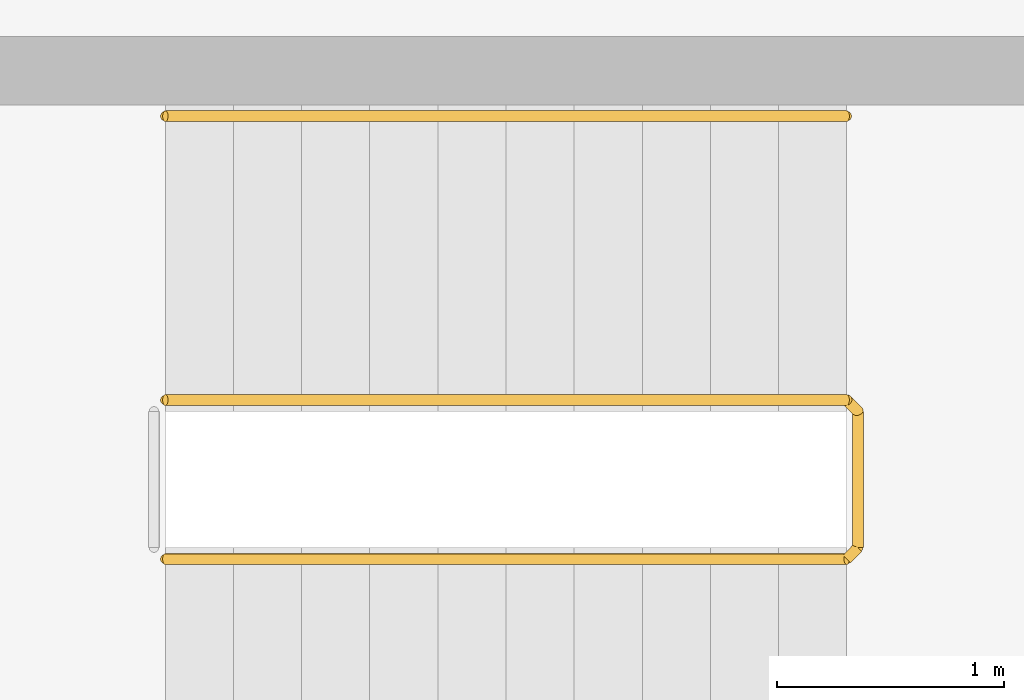
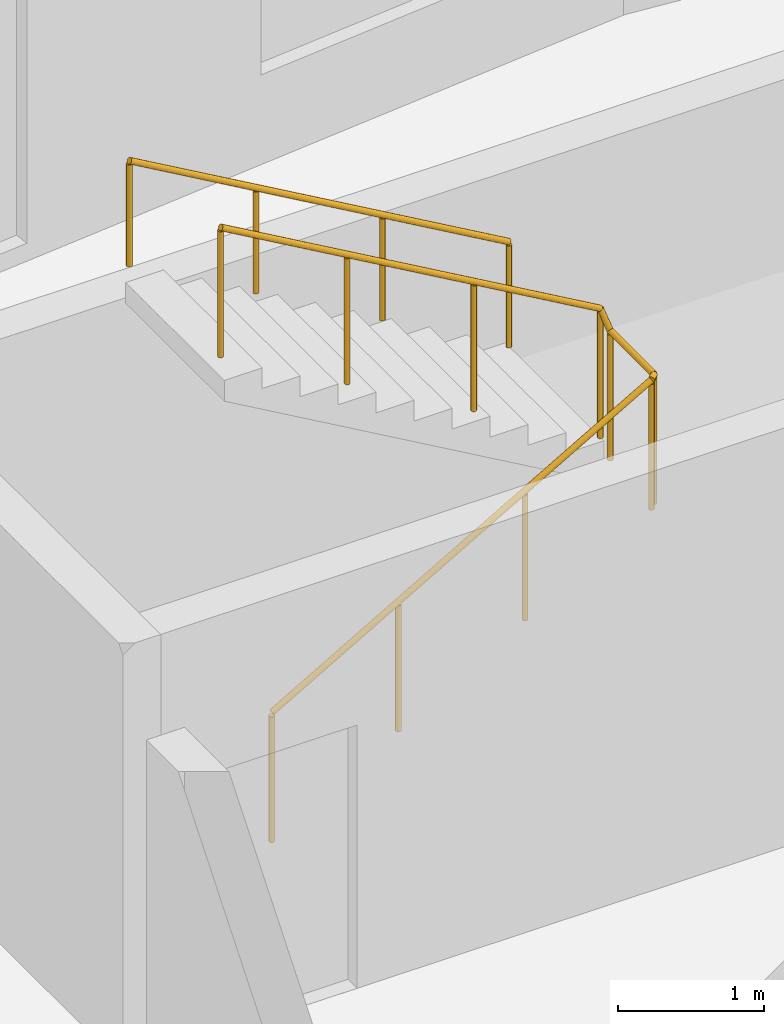
# One storey, part 11 of 11: 2 railings.
"""IFC4 building model written with IfcOpenShell, lengths in metres."""

from ifc_helpers import new_model, si_unit, direction, frame, origin, origin_2d, place, context, subcontext, project, spatial, circle, extrude, material, type_object, element, save


model = new_model("IFC4")

# Units and contexts
model_context = context("Model", 3, precision=1e-05, world=origin(), true_north=direction((0.0, 1.0)))
body_context = subcontext(model_context, "Body", "Model", "MODEL_VIEW")
ifc_project = project(units=[si_unit("LENGTHUNIT", "METRE"), si_unit("AREAUNIT", "SQUARE_METRE"), si_unit("VOLUMEUNIT", "CUBIC_METRE"), si_unit("PLANEANGLEUNIT", "RADIAN"), si_unit("MASSUNIT", "GRAM", prefix="KILO")], contexts=[model_context])

# Site, building, storey
site_placement = place(None, origin())
site = spatial("IfcSite", under=ifc_project, at=site_placement, CompositionType="ELEMENT")
building_placement = place(site_placement, origin())
building = spatial("IfcBuilding", under=site, at=building_placement, Name="Brondeck Convention Tower", CompositionType="ELEMENT")
storey_placement = place(building_placement, frame((0.0, 0.0, 96.10009765625)))
storey = spatial("IfcBuildingStorey", under=building, at=storey_placement, Name="L22", CompositionType="ELEMENT", Elevation=96.10009765625)

# Railings
ifc_material = material(Name="Steel S355", Category="steel")
railing_type_1 = type_object("IfcRailingType", Name="Stair guard 1100", PredefinedType="GUARDRAIL", material=ifc_material)
railing_1_placement = place(storey_placement, frame((37.85009765625, 55.449951171875, 0.172607421875)))
element("IfcRailing", 1, at=railing_1_placement, inside=storey, type_object=railing_type_1, Name="L22 ST-AE stair guard 1", PredefinedType="GUARDRAIL", context=body_context, shape_type="SweptSolid", body=[
    extrude(circle(Radius=0.02392578125, at=origin_2d()), frame((0.0, 0.0, 1.076171875), z_axis=(0.866619684472, 0.0, 0.498969260062), x_axis=(0.0, 1.0, 0.0)), (0.0, 0.0, 1.0), 3.461669921875),
    extrude(circle(Radius=0.02392578125, at=origin_2d()), frame((3.0, 0.0, 2.80322265625), z_axis=(0.705375805398, 0.708833529934, 0.0), x_axis=(-0.708833529934, 0.705375805398, 0.0)), (0.0, 0.0, 1.0), 0.070556640625),
    extrude(circle(Radius=0.02392578125, at=origin_2d()), frame((3.0498046875, 0.050048828125, 2.80322265625), z_axis=(0.0, 1.0, 0.0), x_axis=(-1.0, 0.0, 0.0)), (0.0, 0.0, 1.0), 0.60009765625),
    extrude(circle(Radius=0.02392578125, at=origin_2d()), frame((3.0498046875, 0.650146484375, 2.80322265625), z_axis=(-0.26715648603, 0.26715648603, 0.925880566782), x_axis=(-0.707106781187, -0.707106781187, 0.0)), (0.0, 0.0, 1.0), 0.1865234375),
    extrude(circle(Radius=0.02392578125, at=origin_2d()), frame((3.0, 0.699951171875, 2.97607421875), z_axis=(-0.866619684472, 0.0, 0.498969260062), x_axis=(0.0, -1.0, 0.0)), (0.0, 0.0, 1.0), 3.461669921875),
    extrude(circle(Radius=0.02099609375, at=origin_2d()), origin(), (0.0, 0.0, 1.0), 1.052001953125),
    extrude(circle(Radius=0.02099609375, at=origin_2d()), frame((1.0, 0.0, 0.57568359375)), (0.0, 0.0, 1.0), 1.052001953125),
    extrude(circle(Radius=0.02099609375, at=origin_2d()), frame((2.0, 0.0, 1.151611328125)), (0.0, 0.0, 1.0), 1.052001953125),
    extrude(circle(Radius=0.02099609375, at=origin_2d()), frame((3.0, 0.0, 1.727294921875)), (0.0, 0.0, 1.0), 1.052001953125),
    extrude(circle(Radius=0.02099609375, at=origin_2d()), frame((3.0498046875, 0.050048828125, 1.727294921875)), (0.0, 0.0, 1.0), 1.052001953125),
    extrude(circle(Radius=0.02099609375, at=origin_2d()), frame((3.0498046875, 0.650146484375, 1.727294921875)), (0.0, 0.0, 1.0), 1.052001953125),
    extrude(circle(Radius=0.02099609375, at=origin_2d()), frame((3.0, 0.699951171875, 1.89990234375)), (0.0, 0.0, 1.0), 1.052001953125),
    extrude(circle(Radius=0.02099609375, at=origin_2d()), frame((2.0, 0.699951171875, 2.4755859375)), (0.0, 0.0, 1.0), 1.052001953125),
    extrude(circle(Radius=0.02099609375, at=origin_2d()), frame((1.0, 0.699951171875, 3.051513671875)), (0.0, 0.0, 1.0), 1.052001953125),
    extrude(circle(Radius=0.02099609375, at=origin_2d()), frame((0.0, 0.699951171875, 3.627197265625)), (0.0, 0.0, 1.0), 1.052001953125),
])
railing_type_2 = type_object("IfcRailingType", Name="Stair handrail", PredefinedType="HANDRAIL", material=ifc_material)
railing_2_placement = place(storey_placement, frame((40.85009765625, 57.39990234375, 2.072509765625)))
element("IfcRailing", 2, at=railing_2_placement, inside=storey, type_object=railing_type_2, Name="L22 ST-AE stair handrail 2", PredefinedType="HANDRAIL", context=body_context, shape_type="SweptSolid", body=[
    extrude(circle(Radius=0.02392578125, at=origin_2d()), frame((0.0, 0.0, 0.8759765625), z_axis=(-0.866619684472, 0.0, 0.498969260062), x_axis=(0.0, -1.0, 0.0)), (0.0, 0.0, 1.0), 3.461669921875),
    extrude(circle(Radius=0.02099609375, at=origin_2d()), origin(), (0.0, 0.0, 1.0), 0.851806640625),
    extrude(circle(Radius=0.02099609375, at=origin_2d()), frame((-1.0, 0.0, 0.57568359375)), (0.0, 0.0, 1.0), 0.851806640625),
    extrude(circle(Radius=0.02099609375, at=origin_2d()), frame((-2.0, 0.0, 1.151611328125)), (0.0, 0.0, 1.0), 0.851806640625),
    extrude(circle(Radius=0.02099609375, at=origin_2d()), frame((-3.0, 0.0, 1.727294921875)), (0.0, 0.0, 1.0), 0.851806640625),
])

save(model, "model.ifc")
